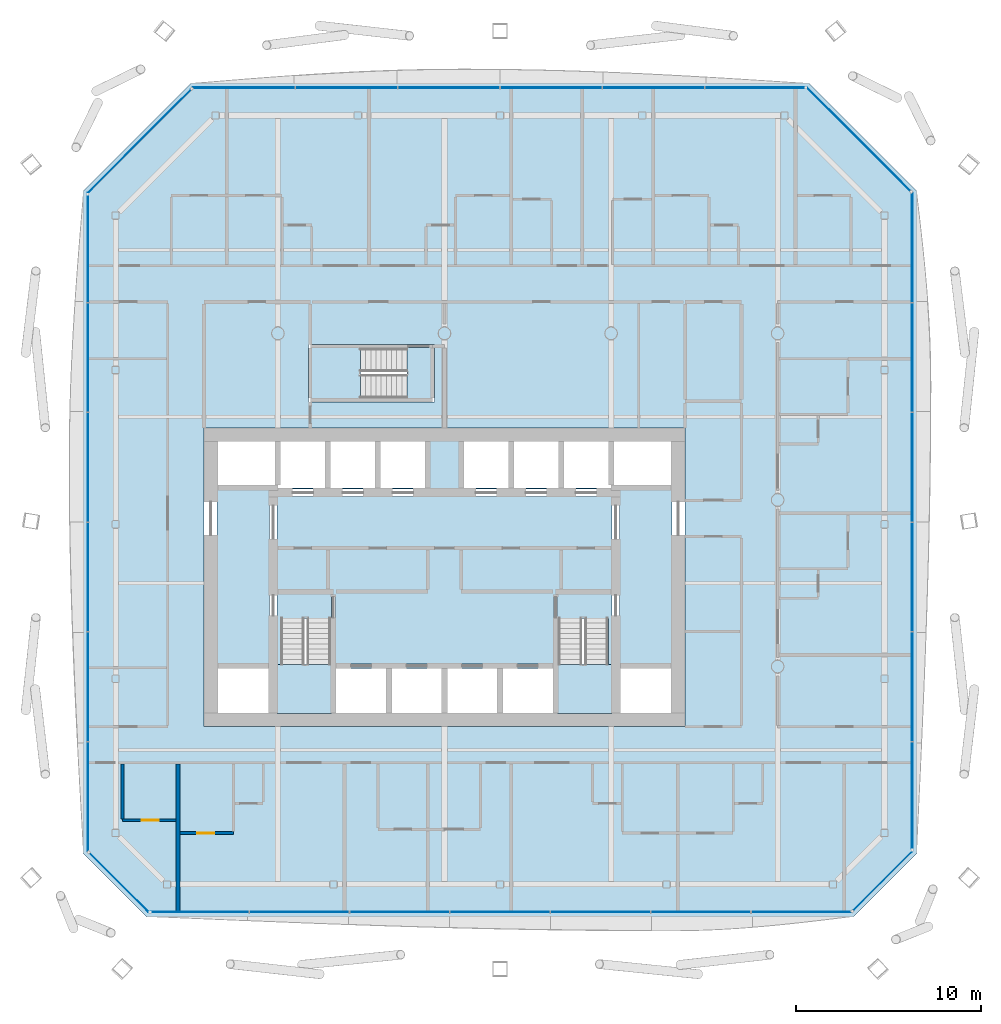
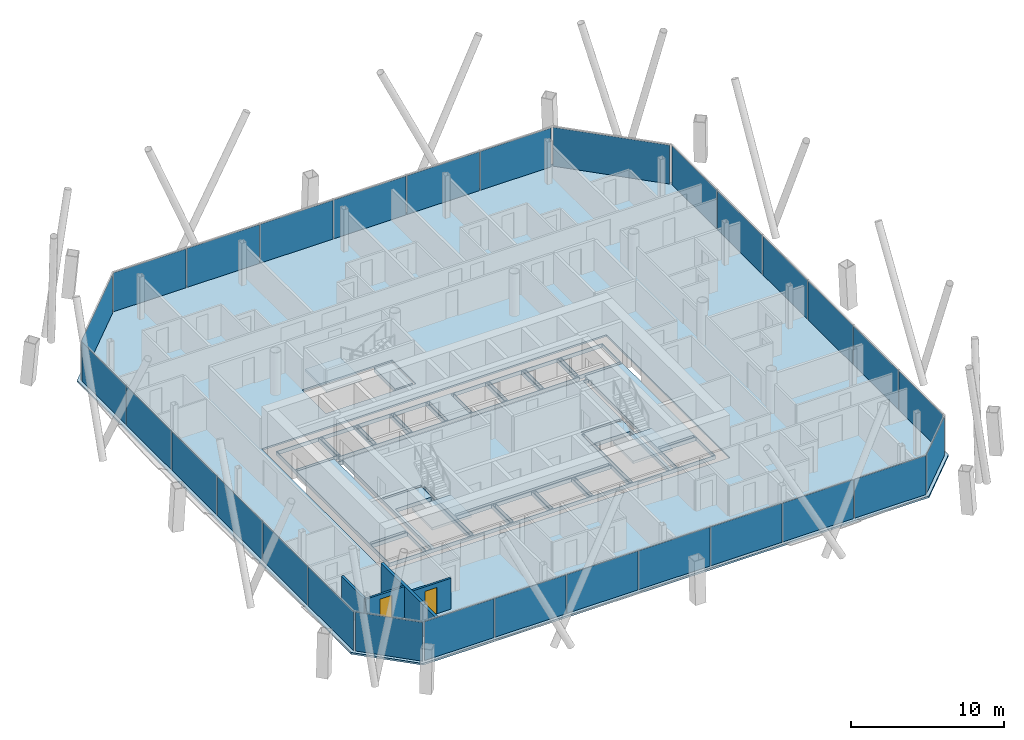
# One storey, part 13 of 23: 29 plates, 6 slabs, 4 walls, 2 doors, 2 openings, 11 elements without a shape of their own.
"""IFC4 building model written with IfcOpenShell, lengths in metres."""

from ifc_helpers import new_model, si_unit, direction, frame, frame_2d, origin, origin_2d, place, context, subcontext, project, spatial, polyline, rectangle, outline, extrude, material, layer, layer_set, type_object, element, fill, aggregate, save


model = new_model("IFC4")

# Units and contexts
model_context = context("Model", 3, precision=1e-05, world=origin(), true_north=direction((0.0, 1.0)))
body_context = subcontext(model_context, "Body", "Model", "MODEL_VIEW")
ifc_project = project(units=[si_unit("LENGTHUNIT", "METRE"), si_unit("AREAUNIT", "SQUARE_METRE"), si_unit("VOLUMEUNIT", "CUBIC_METRE"), si_unit("PLANEANGLEUNIT", "RADIAN"), si_unit("MASSUNIT", "GRAM", prefix="KILO")], contexts=[model_context])

# Site, building, storey
site_placement = place(None, origin())
site = spatial("IfcSite", under=ifc_project, at=site_placement, CompositionType="ELEMENT")
building_placement = place(site_placement, origin())
building = spatial("IfcBuilding", under=site, at=building_placement, Name="Tskaro Facet Tower", CompositionType="ELEMENT")
storey_placement = place(building_placement, frame((0.0, 0.0, 141.89990234375)))
storey = spatial("IfcBuildingStorey", under=building, at=storey_placement, Name="L34", CompositionType="ELEMENT", Elevation=141.89990234375)

# Slab
ifc_material_1 = material(Name="Concrete C30/37", Category="concrete")
ifc_layer_1 = layer(ifc_material_1, 0.139892578125, Name="Concrete C30/37")
ifc_layer_set_1 = layer_set([ifc_layer_1], Name="Concrete C30/37")
slab_type_1 = type_object("IfcSlabType", Name="Composite deck floor slab", PredefinedType="FLOOR", material=ifc_layer_set_1)
slab_1_placement = place(storey_placement, frame((0.0, 0.0, -0.139892578125)))
element("IfcSlab", 1, at=slab_1_placement, inside=storey, type_object=slab_type_1, Name="Floor slab FS3 L34", PredefinedType="FLOOR", context=body_context, shape_type="SweptSolid", body=[
    extrude(outline(polyline([(-16.0869140625, -22.52197265625), (22.0869140625, -22.52197265625), (25.52197265625, -19.0869140625), (25.52197265625, 16.696044921875), (19.696044921875, 22.52197265625), (-13.696044921875, 22.52197265625), (-19.52197265625, 16.696044921875), (-19.52197265625, -19.0869140625), (-16.0869140625, -22.52197265625)]), holes=[polyline([(-13.0, -12.25), (13.0, -12.25), (13.0, 3.89990234375), (-13.0, 3.89990234375), (-13.0, -12.25)]), polyline([(-7.35009765625, 5.300048828125), (-0.550048828125, 5.300048828125), (-0.550048828125, 8.39990234375), (-7.35009765625, 8.39990234375), (-7.35009765625, 5.300048828125)])]), origin(), (0.0, 0.0, 1.0), 0.139892578125),
])

# Curtain wall, plates
ifc_material_2 = material(Name="Bronze anodised aluminium 6063-T6", Category="aluminium")
curtain_wall_type = type_object("IfcCurtainWallType", Name="Bronze hotel curtain wall (FW2)", PredefinedType="NOTDEFINED", material=ifc_material_2)
curtain_wall_1_placement = place(storey_placement, origin())
curtain_wall_1 = element("IfcCurtainWall", 2, at=curtain_wall_1_placement, inside=storey, type_object=curtain_wall_type, Name="FW2 south facet L34", PredefinedType="NOTDEFINED")
ifc_material_3 = material(Name="Bronze solar control glass", Category="glass")
ifc_layer_2 = layer(ifc_material_3, 0.030029296875, Name="Bronze solar control glass")
ifc_layer_set_2 = layer_set([ifc_layer_2], Name="Bronze solar control glass")
plate_type = type_object("IfcPlateType", Name="FW2 bronze-tinted unit glazing 30", PredefinedType="CURTAIN_PANEL", material=ifc_layer_set_2)
plate_1_placement = place(storey_placement, frame((-13.211181640625, -22.27197265625, 0.0), z_axis=(0.0, 0.0, 1.0), x_axis=(1.0, 0.0, 0.0)))
plate_1 = element("IfcPlate", 3, at=plate_1_placement, type_object=plate_type, Name="FW2 south glazing 1.1", PredefinedType="CURTAIN_PANEL", context=body_context, shape_type="SweptSolid", body=[
    extrude(rectangle(XDim=5.24365234375, YDim=0.030029296875, at=origin_2d()), origin(), (0.0, 0.0, 1.0), 3.10009765625),
])
plate_2_placement = place(storey_placement, frame((-7.847412109375, -22.27197265625, 0.0), z_axis=(0.0, 0.0, 1.0), x_axis=(1.0, 0.0, 0.0)))
plate_2 = element("IfcPlate", 4, at=plate_2_placement, type_object=plate_type, Name="FW2 south glazing 2.1", PredefinedType="CURTAIN_PANEL", context=body_context, shape_type="SweptSolid", body=[
    extrude(rectangle(XDim=5.36376953125, YDim=0.030029296875, at=origin_2d()), origin(), (0.0, 0.0, 1.0), 3.10009765625),
])
plate_3_placement = place(storey_placement, frame((-2.423828125, -22.27197265625, 0.0), z_axis=(0.0, 0.0, 1.0), x_axis=(1.0, 0.0, 0.0)))
plate_3 = element("IfcPlate", 5, at=plate_3_placement, type_object=plate_type, Name="FW2 south glazing 3.1", PredefinedType="CURTAIN_PANEL", context=body_context, shape_type="SweptSolid", body=[
    extrude(rectangle(XDim=5.36376953125, YDim=0.030029296875, at=origin_2d()), origin(), (0.0, 0.0, 1.0), 3.10009765625),
])
plate_4_placement = place(storey_placement, frame((3.0, -22.27197265625, 0.0), z_axis=(0.0, 0.0, 1.0), x_axis=(1.0, 0.0, 0.0)))
plate_4 = element("IfcPlate", 6, at=plate_4_placement, type_object=plate_type, Name="FW2 south glazing 4.1", PredefinedType="CURTAIN_PANEL", context=body_context, shape_type="SweptSolid", body=[
    extrude(rectangle(XDim=5.36376953125, YDim=0.030029296875, at=origin_2d()), origin(), (0.0, 0.0, 1.0), 3.10009765625),
])
plate_5_placement = place(storey_placement, frame((8.423828125, -22.27197265625, 0.0), z_axis=(0.0, 0.0, 1.0), x_axis=(1.0, 0.0, 0.0)))
plate_5 = element("IfcPlate", 7, at=plate_5_placement, type_object=plate_type, Name="FW2 south glazing 5.1", PredefinedType="CURTAIN_PANEL", context=body_context, shape_type="SweptSolid", body=[
    extrude(rectangle(XDim=5.36376953125, YDim=0.030029296875, at=origin_2d()), origin(), (0.0, 0.0, 1.0), 3.10009765625),
])
plate_6_placement = place(storey_placement, frame((13.847412109375, -22.27197265625, 0.0), z_axis=(0.0, 0.0, 1.0), x_axis=(1.0, 0.0, 0.0)))
plate_6 = element("IfcPlate", 8, at=plate_6_placement, type_object=plate_type, Name="FW2 south glazing 6.1", PredefinedType="CURTAIN_PANEL", context=body_context, shape_type="SweptSolid", body=[
    extrude(rectangle(XDim=5.36376953125, YDim=0.030029296875, at=origin_2d()), origin(), (0.0, 0.0, 1.0), 3.10009765625),
])
plate_7_placement = place(storey_placement, frame((19.2861328125, -22.27197265625, 0.0), z_axis=(0.0, 0.0, 1.0), x_axis=(1.0, 0.0, 0.0)))
plate_7 = element("IfcPlate", 9, at=plate_7_placement, type_object=plate_type, Name="FW2 south glazing 7.1", PredefinedType="CURTAIN_PANEL", context=body_context, shape_type="SweptSolid", body=[
    extrude(rectangle(XDim=5.393798828125, YDim=0.030029296875, at=origin_2d()), origin(), (0.0, 0.0, 1.0), 3.10009765625),
])
aggregate(curtain_wall_1, [plate_1, plate_2, plate_3, plate_4, plate_5, plate_6, plate_7])

# Curtain wall, plate
curtain_wall_2_placement = place(storey_placement, origin())
curtain_wall_2 = element("IfcCurtainWall", 10, at=curtain_wall_2_placement, inside=storey, type_object=curtain_wall_type, Name="FW2 south-east facet L34", PredefinedType="NOTDEFINED")
plate_8_placement = place(storey_placement, frame((23.680419921875, -20.574462890625, 0.0), z_axis=(0.0, 0.0, 1.0), x_axis=(0.707106781187, 0.707106781187, 0.0)))
plate_8 = element("IfcPlate", 11, at=plate_8_placement, type_object=plate_type, Name="FW2 south-east glazing 1.1", PredefinedType="CURTAIN_PANEL", context=body_context, shape_type="SweptSolid", body=[
    extrude(rectangle(XDim=4.50146484375, YDim=0.030029296875, at=origin_2d()), origin(), (0.0, 0.0, 1.0), 3.10009765625),
])
aggregate(curtain_wall_2, [plate_8])

# Curtain wall, plates
curtain_wall_3_placement = place(storey_placement, origin())
curtain_wall_3 = element("IfcCurtainWall", 12, at=curtain_wall_3_placement, inside=storey, type_object=curtain_wall_type, Name="FW2 east facet L34", PredefinedType="NOTDEFINED")
plate_9_placement = place(storey_placement, frame((25.27197265625, -15.95849609375, 0.0), z_axis=(0.0, 0.0, 1.0), x_axis=(0.0, 1.0, 0.0)))
plate_9 = element("IfcPlate", 13, at=plate_9_placement, type_object=plate_type, Name="FW2 east glazing 1.1", PredefinedType="CURTAIN_PANEL", context=body_context, shape_type="SweptSolid", body=[
    extrude(rectangle(XDim=5.749267578125, YDim=0.030029296875, at=origin_2d()), origin(), (0.0, 0.0, 1.0), 3.10009765625),
])
plate_10_placement = place(storey_placement, frame((25.27197265625, -10.08935546875, 0.0), z_axis=(0.0, 0.0, 1.0), x_axis=(0.0, 1.0, 0.0)))
plate_10 = element("IfcPlate", 14, at=plate_10_placement, type_object=plate_type, Name="FW2 east glazing 2.1", PredefinedType="CURTAIN_PANEL", context=body_context, shape_type="SweptSolid", body=[
    extrude(rectangle(XDim=5.869140625, YDim=0.030029296875, at=origin_2d()), origin(), (0.0, 0.0, 1.0), 3.10009765625),
])
plate_11_placement = place(storey_placement, frame((25.27197265625, -4.16015625, 0.0), z_axis=(0.0, 0.0, 1.0), x_axis=(0.0, 1.0, 0.0)))
plate_11 = element("IfcPlate", 15, at=plate_11_placement, type_object=plate_type, Name="FW2 east glazing 3.1", PredefinedType="CURTAIN_PANEL", context=body_context, shape_type="SweptSolid", body=[
    extrude(rectangle(XDim=5.869140625, YDim=0.030029296875, at=origin_2d()), origin(), (0.0, 0.0, 1.0), 3.10009765625),
])
plate_12_placement = place(storey_placement, frame((25.27197265625, 1.76904296875, 0.0), z_axis=(0.0, 0.0, 1.0), x_axis=(0.0, 1.0, 0.0)))
plate_12 = element("IfcPlate", 16, at=plate_12_placement, type_object=plate_type, Name="FW2 east glazing 4.1", PredefinedType="CURTAIN_PANEL", context=body_context, shape_type="SweptSolid", body=[
    extrude(rectangle(XDim=5.869140625, YDim=0.030029296875, at=origin_2d()), origin(), (0.0, 0.0, 1.0), 3.10009765625),
])
plate_13_placement = place(storey_placement, frame((25.27197265625, 7.6982421875, 0.0), z_axis=(0.0, 0.0, 1.0), x_axis=(0.0, 1.0, 0.0)))
plate_13 = element("IfcPlate", 17, at=plate_13_placement, type_object=plate_type, Name="FW2 east glazing 5.1", PredefinedType="CURTAIN_PANEL", context=body_context, shape_type="SweptSolid", body=[
    extrude(rectangle(XDim=5.869140625, YDim=0.030029296875, at=origin_2d()), origin(), (0.0, 0.0, 1.0), 3.10009765625),
])
plate_14_placement = place(storey_placement, frame((25.27197265625, 13.642333984375, 0.0), z_axis=(0.0, 0.0, 1.0), x_axis=(0.0, 1.0, 0.0)))
plate_14 = element("IfcPlate", 18, at=plate_14_placement, type_object=plate_type, Name="FW2 east glazing 6.1", PredefinedType="CURTAIN_PANEL", context=body_context, shape_type="SweptSolid", body=[
    extrude(rectangle(XDim=5.899169921875, YDim=0.030029296875, at=origin_2d()), origin(), (0.0, 0.0, 1.0), 3.10009765625),
])
aggregate(curtain_wall_3, [plate_9, plate_10, plate_11, plate_12, plate_13, plate_14])

# Curtain wall, plate
curtain_wall_4_placement = place(storey_placement, origin())
curtain_wall_4 = element("IfcCurtainWall", 19, at=curtain_wall_4_placement, inside=storey, type_object=curtain_wall_type, Name="FW2 north-east facet L34", PredefinedType="NOTDEFINED")
plate_15_placement = place(storey_placement, frame((22.37890625, 19.485107421875, 0.0), z_axis=(0.0, 0.0, 1.0), x_axis=(-0.707106781187, 0.707106781187, 0.0)))
plate_15 = element("IfcPlate", 20, at=plate_15_placement, type_object=plate_type, Name="FW2 north-east glazing 1.1", PredefinedType="CURTAIN_PANEL", context=body_context, shape_type="SweptSolid", body=[
    extrude(rectangle(XDim=7.8828125, YDim=0.030029296875, at=origin_2d()), origin(), (0.0, 0.0, 1.0), 3.10009765625),
])
aggregate(curtain_wall_4, [plate_15])

# Curtain wall, plates
curtain_wall_5_placement = place(storey_placement, origin())
curtain_wall_5 = element("IfcCurtainWall", 21, at=curtain_wall_5_placement, inside=storey, type_object=curtain_wall_type, Name="FW2 north facet L34", PredefinedType="NOTDEFINED")
plate_16_placement = place(storey_placement, frame((16.7666015625, 22.27197265625, 0.0), z_axis=(0.0, 0.0, 1.0), x_axis=(-1.0, 0.0, 0.0)))
plate_16 = element("IfcPlate", 22, at=plate_16_placement, type_object=plate_type, Name="FW2 north glazing 1.1", PredefinedType="CURTAIN_PANEL", context=body_context, shape_type="SweptSolid", body=[
    extrude(rectangle(XDim=5.3505859375, YDim=0.030029296875, at=origin_2d()), origin(), (0.0, 0.0, 1.0), 3.10009765625),
])
plate_17_placement = place(storey_placement, frame((11.2958984375, 22.27197265625, 0.0), z_axis=(0.0, 0.0, 1.0), x_axis=(-1.0, 0.0, 0.0)))
plate_17 = element("IfcPlate", 23, at=plate_17_placement, type_object=plate_type, Name="FW2 north glazing 2.1", PredefinedType="CURTAIN_PANEL", context=body_context, shape_type="SweptSolid", body=[
    extrude(rectangle(XDim=5.470703125, YDim=0.030029296875, at=origin_2d()), origin(), (0.0, 0.0, 1.0), 3.10009765625),
])
plate_18_placement = place(storey_placement, frame((5.765380859375, 22.27197265625, 0.0), z_axis=(0.0, 0.0, 1.0), x_axis=(-1.0, 0.0, 0.0)))
plate_18 = element("IfcPlate", 24, at=plate_18_placement, type_object=plate_type, Name="FW2 north glazing 3.1", PredefinedType="CURTAIN_PANEL", context=body_context, shape_type="SweptSolid", body=[
    extrude(rectangle(XDim=5.470703125, YDim=0.030029296875, at=origin_2d()), origin(), (0.0, 0.0, 1.0), 3.10009765625),
])
plate_19_placement = place(storey_placement, frame((0.234619140625, 22.27197265625, 0.0), z_axis=(0.0, 0.0, 1.0), x_axis=(-1.0, 0.0, 0.0)))
plate_19 = element("IfcPlate", 25, at=plate_19_placement, type_object=plate_type, Name="FW2 north glazing 4.1", PredefinedType="CURTAIN_PANEL", context=body_context, shape_type="SweptSolid", body=[
    extrude(rectangle(XDim=5.470703125, YDim=0.030029296875, at=origin_2d()), origin(), (0.0, 0.0, 1.0), 3.10009765625),
])
plate_20_placement = place(storey_placement, frame((-5.2958984375, 22.27197265625, 0.0), z_axis=(0.0, 0.0, 1.0), x_axis=(-1.0, 0.0, 0.0)))
plate_20 = element("IfcPlate", 26, at=plate_20_placement, type_object=plate_type, Name="FW2 north glazing 5.1", PredefinedType="CURTAIN_PANEL", context=body_context, shape_type="SweptSolid", body=[
    extrude(rectangle(XDim=5.470703125, YDim=0.030029296875, at=origin_2d()), origin(), (0.0, 0.0, 1.0), 3.10009765625),
])
plate_21_placement = place(storey_placement, frame((-10.841552734375, 22.27197265625, 0.0), z_axis=(0.0, 0.0, 1.0), x_axis=(-1.0, 0.0, 0.0)))
plate_21 = element("IfcPlate", 27, at=plate_21_placement, type_object=plate_type, Name="FW2 north glazing 6.1", PredefinedType="CURTAIN_PANEL", context=body_context, shape_type="SweptSolid", body=[
    extrude(rectangle(XDim=5.500732421875, YDim=0.030029296875, at=origin_2d()), origin(), (0.0, 0.0, 1.0), 3.10009765625),
])
aggregate(curtain_wall_5, [plate_16, plate_17, plate_18, plate_19, plate_20, plate_21])

# Curtain wall, plate
curtain_wall_6_placement = place(storey_placement, origin())
curtain_wall_6 = element("IfcCurtainWall", 28, at=curtain_wall_6_placement, inside=storey, type_object=curtain_wall_type, Name="FW2 north-west facet L34", PredefinedType="NOTDEFINED")
plate_22_placement = place(storey_placement, frame((-16.485107421875, 19.37890625, 0.0), z_axis=(0.0, 0.0, 1.0), x_axis=(-0.707106781187, -0.707106781187, 0.0)))
plate_22 = element("IfcPlate", 29, at=plate_22_placement, type_object=plate_type, Name="FW2 north-west glazing 1.1", PredefinedType="CURTAIN_PANEL", context=body_context, shape_type="SweptSolid", body=[
    extrude(rectangle(XDim=7.8828125, YDim=0.030029296875, at=origin_2d()), origin(), (0.0, 0.0, 1.0), 3.10009765625),
])
aggregate(curtain_wall_6, [plate_22])

# Curtain wall, plates
curtain_wall_7_placement = place(storey_placement, origin())
curtain_wall_7 = element("IfcCurtainWall", 30, at=curtain_wall_7_placement, inside=storey, type_object=curtain_wall_type, Name="FW2 west facet L34", PredefinedType="NOTDEFINED")
plate_23_placement = place(storey_placement, frame((-19.27197265625, 13.5673828125, 0.0), z_axis=(0.0, 0.0, 1.0), x_axis=(0.0, -1.0, 0.0)))
plate_23 = element("IfcPlate", 31, at=plate_23_placement, type_object=plate_type, Name="FW2 west glazing 1.1", PredefinedType="CURTAIN_PANEL", context=body_context, shape_type="SweptSolid", body=[
    extrude(rectangle(XDim=5.749267578125, YDim=0.030029296875, at=origin_2d()), origin(), (0.0, 0.0, 1.0), 3.10009765625),
])
plate_24_placement = place(storey_placement, frame((-19.27197265625, 7.6982421875, 0.0), z_axis=(0.0, 0.0, 1.0), x_axis=(0.0, -1.0, 0.0)))
plate_24 = element("IfcPlate", 32, at=plate_24_placement, type_object=plate_type, Name="FW2 west glazing 2.1", PredefinedType="CURTAIN_PANEL", context=body_context, shape_type="SweptSolid", body=[
    extrude(rectangle(XDim=5.869140625, YDim=0.030029296875, at=origin_2d()), origin(), (0.0, 0.0, 1.0), 3.10009765625),
])
plate_25_placement = place(storey_placement, frame((-19.27197265625, 1.76904296875, 0.0), z_axis=(0.0, 0.0, 1.0), x_axis=(0.0, -1.0, 0.0)))
plate_25 = element("IfcPlate", 33, at=plate_25_placement, type_object=plate_type, Name="FW2 west glazing 3.1", PredefinedType="CURTAIN_PANEL", context=body_context, shape_type="SweptSolid", body=[
    extrude(rectangle(XDim=5.869140625, YDim=0.030029296875, at=origin_2d()), origin(), (0.0, 0.0, 1.0), 3.10009765625),
])
plate_26_placement = place(storey_placement, frame((-19.27197265625, -4.16015625, 0.0), z_axis=(0.0, 0.0, 1.0), x_axis=(0.0, -1.0, 0.0)))
plate_26 = element("IfcPlate", 34, at=plate_26_placement, type_object=plate_type, Name="FW2 west glazing 4.1", PredefinedType="CURTAIN_PANEL", context=body_context, shape_type="SweptSolid", body=[
    extrude(rectangle(XDim=5.869140625, YDim=0.030029296875, at=origin_2d()), origin(), (0.0, 0.0, 1.0), 3.10009765625),
])
plate_27_placement = place(storey_placement, frame((-19.27197265625, -10.08935546875, 0.0), z_axis=(0.0, 0.0, 1.0), x_axis=(0.0, -1.0, 0.0)))
plate_27 = element("IfcPlate", 35, at=plate_27_placement, type_object=plate_type, Name="FW2 west glazing 5.1", PredefinedType="CURTAIN_PANEL", context=body_context, shape_type="SweptSolid", body=[
    extrude(rectangle(XDim=5.869140625, YDim=0.030029296875, at=origin_2d()), origin(), (0.0, 0.0, 1.0), 3.10009765625),
])
plate_28_placement = place(storey_placement, frame((-19.27197265625, -16.033447265625, 0.0), z_axis=(0.0, 0.0, 1.0), x_axis=(0.0, -1.0, 0.0)))
plate_28 = element("IfcPlate", 36, at=plate_28_placement, type_object=plate_type, Name="FW2 west glazing 6.1", PredefinedType="CURTAIN_PANEL", context=body_context, shape_type="SweptSolid", body=[
    extrude(rectangle(XDim=5.899169921875, YDim=0.030029296875, at=origin_2d()), origin(), (0.0, 0.0, 1.0), 3.10009765625),
])
aggregate(curtain_wall_7, [plate_23, plate_24, plate_25, plate_26, plate_27, plate_28])

# Curtain wall, plate
curtain_wall_8_placement = place(storey_placement, origin())
curtain_wall_8 = element("IfcCurtainWall", 37, at=curtain_wall_8_placement, inside=storey, type_object=curtain_wall_type, Name="FW2 south-west facet L34", PredefinedType="NOTDEFINED")
plate_29_placement = place(storey_placement, frame((-17.574462890625, -20.680419921875, 0.0), z_axis=(0.0, 0.0, 1.0), x_axis=(0.707106781187, -0.707106781187, 0.0)))
plate_29 = element("IfcPlate", 38, at=plate_29_placement, type_object=plate_type, Name="FW2 south-west glazing 1.1", PredefinedType="CURTAIN_PANEL", context=body_context, shape_type="SweptSolid", body=[
    extrude(rectangle(XDim=4.50146484375, YDim=0.030029296875, at=origin_2d()), origin(), (0.0, 0.0, 1.0), 3.10009765625),
])
aggregate(curtain_wall_8, [plate_29])

# Stair, slab
ifc_material_4 = material(Name="Concrete C40/50", Category="concrete")
stair_type = type_object("IfcStairType", Name="ST-TWR", PredefinedType="HALF_TURN_STAIR", material=ifc_material_4)
stair_1_placement = place(storey_placement, origin())
stair_1 = element("IfcStair", 39, at=stair_1_placement, inside=storey, type_object=stair_type, Name="L34 Exit stair 1", PredefinedType="HALF_TURN_STAIR")
ifc_layer_3 = layer(ifc_material_4, 0.199951171875, Name="Concrete C40/50")
ifc_layer_set_3 = layer_set([ifc_layer_3], Name="Concrete C40/50")
slab_type_2 = type_object("IfcSlabType", Name="SL-LANDING", PredefinedType="LANDING", material=ifc_layer_set_3)
slab_2_placement = place(storey_placement, frame((0.0, 0.0, 1.5)))
slab_2 = element("IfcSlab", 40, at=slab_2_placement, type_object=slab_type_2, Name="ST-1 landing 1", PredefinedType="LANDING", context=body_context, shape_type="SweptSolid", body=[
    extrude(outline(polyline([(-9.050048828125, -11.550048828125), (-6.10009765625, -11.550048828125), (-6.10009765625, -8.89501953125), (-9.050048828125, -8.89501953125), (-9.050048828125, -11.550048828125)])), origin(), (0.0, 0.0, 1.0), 0.2001953125),
])
aggregate(stair_1, [slab_2])

stair_2_placement = place(storey_placement, origin())
stair_2 = element("IfcStair", 41, at=stair_2_placement, inside=storey, type_object=stair_type, Name="L34 Exit stair 2", PredefinedType="HALF_TURN_STAIR")
slab_3_placement = place(storey_placement, frame((0.0, 0.0, 1.5)))
slab_3 = element("IfcSlab", 42, at=slab_3_placement, type_object=slab_type_2, Name="ST-2 landing 1", PredefinedType="LANDING", context=body_context, shape_type="SweptSolid", body=[
    extrude(outline(polyline([(6.10009765625, -11.550048828125), (9.050048828125, -11.550048828125), (9.050048828125, -8.89501953125), (6.10009765625, -8.89501953125), (6.10009765625, -11.550048828125)])), origin(), (0.0, 0.0, 1.0), 0.2001953125),
])
aggregate(stair_2, [slab_3])

stair_3_placement = place(storey_placement, origin())
stair_3 = element("IfcStair", 43, at=stair_3_placement, inside=storey, type_object=stair_type, Name="L34 Exit stair 3", PredefinedType="HALF_TURN_STAIR")
slab_4_placement = place(storey_placement, frame((0.0, 0.0, 1.5)))
slab_4 = element("IfcSlab", 44, at=slab_4_placement, type_object=slab_type_2, Name="ST-3 landing 1", PredefinedType="LANDING", context=body_context, shape_type="SweptSolid", body=[
    extrude(outline(polyline([(-7.199951171875, 5.449951171875), (-4.544921875, 5.449951171875), (-4.544921875, 8.25), (-7.199951171875, 8.25), (-7.199951171875, 5.449951171875)])), origin(), (0.0, 0.0, 1.0), 0.2001953125),
])
aggregate(stair_3, [slab_4])

# Slabs
ifc_material_5 = material(Name="Concrete C60/75", Category="concrete")
ifc_layer_4 = layer(ifc_material_5, 0.300048828125, Name="Concrete C60/75")
ifc_layer_set_4 = layer_set([ifc_layer_4], Name="Concrete C60/75")
slab_type_3 = type_object("IfcSlabType", Name="SLAB-CORE", PredefinedType="FLOOR", material=ifc_layer_set_4)
slab_5_placement = place(storey_placement, frame((0.0, 0.0, -0.2998046875)))
element("IfcSlab", 45, at=slab_5_placement, inside=storey, type_object=slab_type_3, Name="Core floor slab 1", PredefinedType="FLOOR", context=body_context, shape_type="SweptSolid", body=[
    extrude(outline(polyline([(-12.300048828125, 3.199951171875), (12.300048828125, 3.199951171875), (12.300048828125, 3.10009765625), (12.300048828125, -11.449951171875), (12.300048828125, -11.550048828125), (-12.300048828125, -11.550048828125), (-12.300048828125, -11.449951171875), (-12.300048828125, 3.10009765625), (-12.300048828125, 3.199951171875)]), holes=[polyline([(-9.5, -9.10009765625), (-12.25, -9.10009765625), (-12.25, -11.5), (-9.5, -11.5), (-9.5, -9.10009765625)]), polyline([(-5.85009765625, -9.10009765625), (-5.85009765625, -11.5), (-3.14990234375, -11.5), (-3.14990234375, -9.10009765625), (-5.85009765625, -9.10009765625)]), polyline([(-12.199951171875, -9.050048828125), (-9.550048828125, -9.050048828125), (-9.550048828125, -8.85009765625), (-12.199951171875, -8.85009765625), (-12.199951171875, -9.050048828125)]), polyline([(-6.10009765625, -5.14990234375), (-6.10009765625, -11.449951171875), (-5.89990234375, -11.449951171875), (-5.89990234375, -5.14990234375), (-6.10009765625, -5.14990234375)]), polyline([(-9.449951171875, 0.10009765625), (-9.449951171875, -11.449951171875), (-9.050048828125, -11.449951171875), (-9.050048828125, 0.10009765625), (-9.449951171875, 0.10009765625)]), polyline([(-8.949951171875, -5.050048828125), (-6.050048828125, -5.050048828125), (-6.050048828125, -4.85009765625), (-8.949951171875, -4.85009765625), (-8.949951171875, -5.050048828125)]), polyline([(9.449951171875, 0.199951171875), (9.449951171875, 0.550048828125), (12.199951171875, 0.550048828125), (12.199951171875, 0.75), (9.050048828125, 0.75), (9.050048828125, 0.60009765625), (-9.050048828125, 0.60009765625), (-9.050048828125, 0.75), (-12.199951171875, 0.75), (-12.199951171875, 0.550048828125), (-9.449951171875, 0.550048828125), (-9.449951171875, 0.199951171875), (9.449951171875, 0.199951171875)]), polyline([(-8.85009765625, 0.800048828125), (-9.0, 0.800048828125), (-9.0, 0.64990234375), (-6.449951171875, 0.64990234375), (-6.449951171875, 3.14990234375), (-8.85009765625, 3.14990234375), (-8.85009765625, 0.800048828125)]), polyline([(-6.14990234375, 0.64990234375), (-3.75, 0.64990234375), (-3.75, 3.14990234375), (-6.14990234375, 3.14990234375), (-6.14990234375, 0.64990234375)]), polyline([(-6.39990234375, 3.10009765625), (-6.39990234375, 0.699951171875), (-6.199951171875, 0.699951171875), (-6.199951171875, 3.10009765625), (-6.39990234375, 3.10009765625)]), polyline([(-9.14990234375, 3.14990234375), (-12.25, 3.14990234375), (-12.25, 0.800048828125), (-9.14990234375, 0.800048828125), (-9.14990234375, 3.14990234375)]), polyline([(-9.10009765625, 0.85009765625), (-8.89990234375, 0.85009765625), (-8.89990234375, 3.10009765625), (-9.10009765625, 3.10009765625), (-9.10009765625, 0.85009765625)]), polyline([(-3.10009765625, -11.449951171875), (-2.89990234375, -11.449951171875), (-2.89990234375, -9.14990234375), (-3.10009765625, -9.14990234375), (-3.10009765625, -11.449951171875)]), polyline([(-0.14990234375, -9.10009765625), (-2.85009765625, -9.10009765625), (-2.85009765625, -11.5), (-0.14990234375, -11.5), (-0.14990234375, -9.10009765625)]), polyline([(-0.10009765625, -9.14990234375), (-0.10009765625, -11.449951171875), (0.10009765625, -11.449951171875), (0.10009765625, -9.14990234375), (-0.10009765625, -9.14990234375)]), polyline([(0.14990234375, -9.10009765625), (0.14990234375, -11.5), (2.85009765625, -11.5), (2.85009765625, -9.10009765625), (0.14990234375, -9.10009765625)]), polyline([(-5.800048828125, -8.85009765625), (-5.800048828125, -9.050048828125), (5.800048828125, -9.050048828125), (5.800048828125, -8.85009765625), (-5.800048828125, -8.85009765625)]), polyline([(-1.050048828125, 0.64990234375), (-1.050048828125, 3.14990234375), (-3.449951171875, 3.14990234375), (-3.449951171875, 0.64990234375), (-1.050048828125, 0.64990234375)]), polyline([(3.449951171875, 0.64990234375), (3.449951171875, 3.14990234375), (1.050048828125, 3.14990234375), (1.050048828125, 0.64990234375), (3.449951171875, 0.64990234375)]), polyline([(-3.699951171875, 0.699951171875), (-3.5, 0.699951171875), (-3.5, 3.10009765625), (-3.699951171875, 3.10009765625), (-3.699951171875, 0.699951171875)]), polyline([(-1.0, 3.10009765625), (-1.0, 0.699951171875), (-0.800048828125, 0.699951171875), (-0.800048828125, 3.10009765625), (-1.0, 3.10009765625)]), polyline([(0.800048828125, 3.10009765625), (0.800048828125, 0.699951171875), (1.0, 0.699951171875), (1.0, 3.10009765625), (0.800048828125, 3.10009765625)]), polyline([(2.89990234375, -11.449951171875), (3.10009765625, -11.449951171875), (3.10009765625, -9.14990234375), (2.89990234375, -9.14990234375), (2.89990234375, -11.449951171875)]), polyline([(5.85009765625, -9.10009765625), (3.14990234375, -9.10009765625), (3.14990234375, -11.5), (5.85009765625, -11.5), (5.85009765625, -9.10009765625)]), polyline([(12.25, -11.5), (12.25, -9.10009765625), (9.5, -9.10009765625), (9.5, -11.5), (12.25, -11.5)]), polyline([(9.550048828125, -9.050048828125), (12.199951171875, -9.050048828125), (12.199951171875, -8.85009765625), (9.550048828125, -8.85009765625), (9.550048828125, -9.050048828125)]), polyline([(5.89990234375, -5.14990234375), (5.89990234375, -11.449951171875), (6.10009765625, -11.449951171875), (6.10009765625, -5.14990234375), (5.89990234375, -5.14990234375)]), polyline([(9.050048828125, 0.10009765625), (9.050048828125, -11.449951171875), (9.449951171875, -11.449951171875), (9.449951171875, 0.10009765625), (9.050048828125, 0.10009765625)]), polyline([(6.050048828125, -5.050048828125), (8.949951171875, -5.050048828125), (8.949951171875, -4.85009765625), (6.050048828125, -4.85009765625), (6.050048828125, -5.050048828125)]), polyline([(6.14990234375, 0.64990234375), (6.14990234375, 3.14990234375), (3.75, 3.14990234375), (3.75, 0.64990234375), (6.14990234375, 0.64990234375)]), polyline([(9.0, 0.800048828125), (8.85009765625, 0.800048828125), (8.85009765625, 3.14990234375), (6.449951171875, 3.14990234375), (6.449951171875, 0.64990234375), (9.0, 0.64990234375), (9.0, 0.800048828125)]), polyline([(3.5, 3.10009765625), (3.5, 0.699951171875), (3.699951171875, 0.699951171875), (3.699951171875, 3.10009765625), (3.5, 3.10009765625)]), polyline([(6.199951171875, 0.699951171875), (6.39990234375, 0.699951171875), (6.39990234375, 3.10009765625), (6.199951171875, 3.10009765625), (6.199951171875, 0.699951171875)]), polyline([(8.89990234375, 3.10009765625), (8.89990234375, 0.85009765625), (9.10009765625, 0.85009765625), (9.10009765625, 3.10009765625), (8.89990234375, 3.10009765625)]), polyline([(9.14990234375, 0.800048828125), (12.25, 0.800048828125), (12.25, 3.14990234375), (9.14990234375, 3.14990234375), (9.14990234375, 0.800048828125)]), polyline([(-8.85009765625, -11.5), (-6.14990234375, -11.5), (-6.14990234375, -6.39501953125), (-8.85009765625, -6.39501953125), (-8.85009765625, -11.5)]), polyline([(6.14990234375, -6.39501953125), (6.14990234375, -11.5), (8.85009765625, -11.5), (8.85009765625, -6.39501953125), (6.14990234375, -6.39501953125)])]), origin(), (0.0, 0.0, 1.0), 0.2998046875),
])
slab_6_placement = place(storey_placement, frame((0.0, 0.0, -0.2998046875)))
element("IfcSlab", 46, at=slab_6_placement, inside=storey, type_object=slab_type_3, Name="Stair 3 floor landing 1", PredefinedType="FLOOR", context=body_context, shape_type="SweptSolid", body=[
    extrude(outline(polyline([(-2.02490234375, 5.449951171875), (-0.699951171875, 5.449951171875), (-0.699951171875, 8.25), (-2.02490234375, 8.25), (-2.02490234375, 5.449951171875)])), origin(), (0.0, 0.0, 1.0), 0.2998046875),
])

# Wall, opening, door
ifc_material_6 = material(Name="Gypsum board on steel studs", Category="steel")
ifc_layer_5 = layer(ifc_material_6, 0.14990234375, Name="Gypsum board on steel studs")
ifc_layer_set_5 = layer_set([ifc_layer_5], Name="Gypsum board on steel studs")
wall_type_1 = type_object("IfcWallType", Name="PART-CORR", PredefinedType="PARTITIONING", material=ifc_layer_set_5)
wall_1_placement = place(storey_placement, frame((-14.299072265625, -18.0, 0.0), z_axis=(0.0, 0.0, 1.0), x_axis=(1.0, 0.0, 0.0)))
wall_1 = element("IfcWall", 47, at=wall_1_placement, inside=storey, type_object=wall_type_1, Name="Corridor wall W001", PredefinedType="PARTITIONING", context=body_context, shape_type="SweptSolid", body=[
    extrude(rectangle(XDim=2.900146484375, YDim=0.14990234375, at=frame_2d((1.4501953125, 0.0))), origin(), (0.0, 0.0, 1.0), 2.460205078125),
])
opening_1_placement = place(wall_1_placement, frame((0.949951171875, 0.0, 0.0)))
opening_1 = element("IfcOpeningElement", 48, at=opening_1_placement, cuts=wall_1, Name="Opening T10-D01", PredefinedType="OPENING", context=body_context, shape_type="SweptSolid", body=[
    extrude(rectangle(XDim=0.89990234375, YDim=2.10009765625, at=frame_2d((0.449951171875, 1.050048828125))), frame((0.0, 0.0849609375, 0.0), z_axis=(0.0, -1.0, 0.0), x_axis=(1.0, 0.0, 0.0)), (0.0, 0.0, 1.0), 0.169921875),
])
ifc_material_7 = material(Name="Timber", Category="wood")
door_type = type_object("IfcDoorType", Name="D-ROOM", OperationType="NOTDEFINED", PredefinedType="DOOR", material=ifc_material_7)
door_1_placement = place(opening_1_placement, origin())
door_1 = element("IfcDoor", 49, at=door_1_placement, inside=storey, type_object=door_type, Name="Door T10-D01", OperationType="SINGLE_SWING_LEFT", OverallHeight=2.10009765625, OverallWidth=0.89990234375, PredefinedType="DOOR", context=body_context, shape_type="SweptSolid", body=[
    extrude(rectangle(XDim=0.89990234375, YDim=2.10009765625, at=frame_2d((0.449951171875, 1.050048828125))), frame((0.0, 0.02490234375, 0.0), z_axis=(0.0, -1.0, 0.0), x_axis=(1.0, 0.0, 0.0)), (0.0, 0.0, 1.0), 0.050048828125),
])
fill(opening_1, door_1)

wall_2_placement = place(storey_placement, frame((-17.39892578125, -17.300048828125, 0.0), z_axis=(0.0, 0.0, 1.0), x_axis=(1.0, 0.0, 0.0)))
wall_2 = element("IfcWall", 50, at=wall_2_placement, inside=storey, type_object=wall_type_1, Name="Corridor wall W004", PredefinedType="PARTITIONING", context=body_context, shape_type="SweptSolid", body=[
    extrude(rectangle(XDim=2.89990234375, YDim=0.14990234375, at=frame_2d((1.449951171875, 0.0))), origin(), (0.0, 0.0, 1.0), 2.460205078125),
])
opening_2_placement = place(wall_2_placement, frame((1.050048828125, 0.0, 0.0)))
opening_2 = element("IfcOpeningElement", 51, at=opening_2_placement, cuts=wall_2, Name="Opening T10-D06", PredefinedType="OPENING", context=body_context, shape_type="SweptSolid", body=[
    extrude(rectangle(XDim=0.89990234375, YDim=2.10009765625, at=frame_2d((0.449951171875, 1.050048828125))), frame((0.0, 0.0849609375, 0.0), z_axis=(0.0, -1.0, 0.0), x_axis=(1.0, 0.0, 0.0)), (0.0, 0.0, 1.0), 0.169921875),
])
door_2_placement = place(opening_2_placement, origin())
door_2 = element("IfcDoor", 52, at=door_2_placement, inside=storey, type_object=door_type, Name="Door T10-D06", OperationType="SINGLE_SWING_LEFT", OverallHeight=2.10009765625, OverallWidth=0.89990234375, PredefinedType="DOOR", context=body_context, shape_type="SweptSolid", body=[
    extrude(rectangle(XDim=0.89990234375, YDim=2.10009765625, at=frame_2d((0.449951171875, 1.050048828125))), frame((0.0, 0.02490234375, 0.0), z_axis=(0.0, -1.0, 0.0), x_axis=(1.0, 0.0, 0.0)), (0.0, 0.0, 1.0), 0.050048828125),
])
fill(opening_2, door_2)

# Walls
wall_3_placement = place(storey_placement, frame((-17.39892578125, -17.22509765625, 0.0), z_axis=(0.0, 0.0, 1.0), x_axis=(0.0, 1.0, 0.0)))
element("IfcWall", 53, at=wall_3_placement, inside=storey, type_object=wall_type_1, Name="Corridor wall W054", PredefinedType="PARTITIONING", context=body_context, shape_type="SweptSolid", body=[
    extrude(rectangle(XDim=2.9501953125, YDim=0.14990234375, at=frame_2d((1.47509765625, 0.0))), origin(), (0.0, 0.0, 1.0), 2.460205078125),
])
ifc_layer_6 = layer(ifc_material_6, 0.199951171875, Name="Gypsum board on steel studs")
ifc_layer_set_6 = layer_set([ifc_layer_6], Name="Gypsum board on steel studs")
wall_type_2 = type_object("IfcWallType", Name="PART-DEMISING", PredefinedType="PARTITIONING", material=ifc_layer_set_6)
wall_4_placement = place(storey_placement, frame((-14.39892578125, -22.221923828125, 0.0), z_axis=(0.0, 0.0, 1.0), x_axis=(0.0, 1.0, 0.0)))
element("IfcWall", 54, at=wall_4_placement, inside=storey, type_object=wall_type_2, Name="Guest room wall W057", PredefinedType="PARTITIONING", context=body_context, shape_type="SweptSolid", body=[
    extrude(rectangle(XDim=7.947021484375, YDim=0.199951171875, at=frame_2d((3.9736328125, 0.0))), origin(), (0.0, 0.0, 1.0), 2.460205078125),
])

save(model, "model.ifc")
